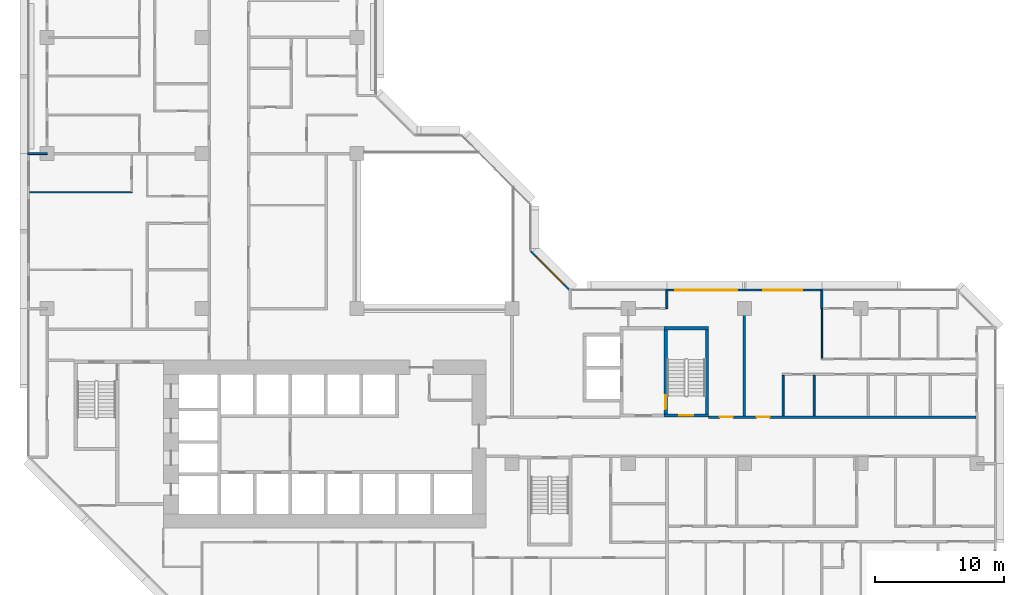
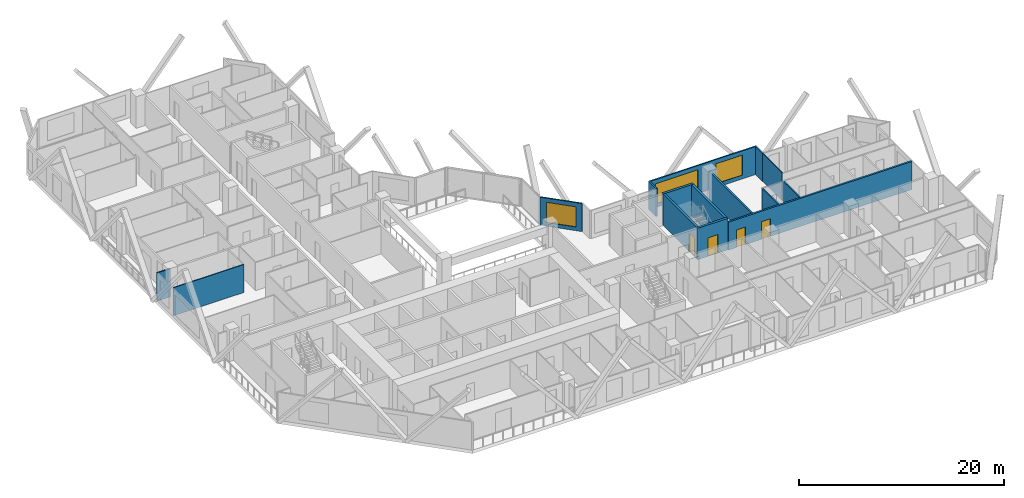
# One storey, part 8 of 16: 15 walls, 4 doors, 3 windows, 7 openings.
"""IFC4 building model written with IfcOpenShell, lengths in metres."""

from ifc_helpers import new_model, si_unit, direction, frame, frame_2d, origin, place, context, subcontext, project, spatial, rectangle, extrude, material, layer, layer_set, type_object, element, fill, save


model = new_model("IFC4")

# Units and contexts
model_context = context("Model", 3, precision=1e-05, world=origin(), true_north=direction((0.0, 1.0)))
body_context = subcontext(model_context, "Body", "Model", "MODEL_VIEW")
ifc_project = project(units=[si_unit("LENGTHUNIT", "METRE"), si_unit("AREAUNIT", "SQUARE_METRE"), si_unit("VOLUMEUNIT", "CUBIC_METRE"), si_unit("PLANEANGLEUNIT", "RADIAN"), si_unit("MASSUNIT", "GRAM", prefix="KILO")], contexts=[model_context])

# Site, building, storey
site_placement = place(None, origin())
site = spatial("IfcSite", under=ifc_project, at=site_placement, CompositionType="ELEMENT")
building_placement = place(site_placement, origin())
building = spatial("IfcBuilding", under=site, at=building_placement, Name="Chenar Terraces", CompositionType="ELEMENT")
storey_placement = place(building_placement, frame((0.0, 0.0, 71.39990234375)))
storey = spatial("IfcBuildingStorey", under=building, at=storey_placement, Name="L15", CompositionType="ELEMENT", Elevation=71.39990234375)

# Wall, opening, door
ifc_material_1 = material(Name="Concrete C70/85", Category="concrete")
ifc_layer_1 = layer(ifc_material_1, 0.25)
ifc_layer_set_1 = layer_set([ifc_layer_1], Name="Concrete C70/85")
wall_type_1 = type_object("IfcWallType", Name="Core wall 250 Concrete C70/85", PredefinedType="SHEAR", material=ifc_layer_set_1)
wall_1_placement = place(storey_placement, frame((47.77490234375, 15.72509765625, 0.0), z_axis=(0.0, 0.0, 1.0), x_axis=(1.0, 0.0, 0.0)))
wall_1 = element("IfcWall", 1, at=wall_1_placement, inside=storey, type_object=wall_type_1, Name="Core wall ST3_S L15", PredefinedType="SHEAR", context=body_context, shape_type="SweptSolid", body=[
    extrude(rectangle(XDim=3.4501953125, YDim=0.25, at=frame_2d((1.72509765625, 0.0))), origin(), (0.0, 0.0, 1.0), 3.75),
])
opening_1_placement = place(wall_1_placement, frame((1.175048828125, 0.0, 0.0)))
opening_1 = element("IfcOpeningElement", 2, at=opening_1_placement, cuts=wall_1, Name="Opening DL15-C8", PredefinedType="OPENING", context=body_context, shape_type="SweptSolid", body=[
    extrude(rectangle(XDim=1.10009765625, YDim=2.199951171875, at=frame_2d((0.550048828125, 1.10009765625))), frame((0.0, 0.135009765625, 0.0), z_axis=(0.0, -1.0, 0.0), x_axis=(1.0, 0.0, 0.0)), (0.0, 0.0, 1.0), 0.27001953125),
])
ifc_material_2 = material(Name="Steel-framed fire-resisting door leaf", Category="steel")
door_type_1 = type_object("IfcDoorType", Name="Stair fire door FD60 1100 x 2200", OperationType="SINGLE_SWING_LEFT", PredefinedType="DOOR", material=ifc_material_2)
door_1_placement = place(opening_1_placement, frame((1.10009765625, 0.0, 0.0), z_axis=(0.0, 0.0, 1.0), x_axis=(-1.0, 0.0, 0.0)))
door_1 = element("IfcDoor", 3, at=door_1_placement, inside=storey, type_object=door_type_1, Name="Stair door DL15-C8", OperationType="SINGLE_SWING_LEFT", OverallHeight=2.199951171875, OverallWidth=1.10009765625, PredefinedType="DOOR", context=body_context, shape_type="SweptSolid", body=[
    extrude(rectangle(XDim=1.10009765625, YDim=2.199951171875, at=frame_2d((0.550048828125, 1.10009765625))), frame((0.0, 0.02490234375, 0.0), z_axis=(0.0, -1.0, 0.0), x_axis=(1.0, 0.0, 0.0)), (0.0, 0.0, 1.0), 0.050048828125),
])
fill(opening_1, door_1)

# Wall
wall_2_placement = place(storey_placement, frame((47.77490234375, 22.47509765625, 0.0), z_axis=(0.0, 0.0, 1.0), x_axis=(1.0, 0.0, 0.0)))
element("IfcWall", 4, at=wall_2_placement, inside=storey, type_object=wall_type_1, Name="Core wall ST3_N L15", PredefinedType="SHEAR", context=body_context, shape_type="SweptSolid", body=[
    extrude(rectangle(XDim=3.4501953125, YDim=0.25, at=frame_2d((1.72509765625, 0.0))), origin(), (0.0, 0.0, 1.0), 3.75),
])

# Wall, opening, door
wall_3_placement = place(storey_placement, frame((47.89990234375, 15.85009765625, 0.0), z_axis=(0.0, 0.0, 1.0), x_axis=(0.0, 1.0, 0.0)))
wall_3 = element("IfcWall", 5, at=wall_3_placement, inside=storey, type_object=wall_type_1, Name="Core wall ST3_W L15", PredefinedType="SHEAR", context=body_context, shape_type="SweptSolid", body=[
    extrude(rectangle(XDim=6.5, YDim=0.25, at=frame_2d((3.25, 0.0))), origin(), (0.0, 0.0, 1.0), 3.75),
])
opening_2_placement = place(wall_3_placement, frame((0.35009765625, 0.0, 0.0)))
opening_2 = element("IfcOpeningElement", 6, at=opening_2_placement, cuts=wall_3, Name="Opening DL15-C11", PredefinedType="OPENING", context=body_context, shape_type="SweptSolid", body=[
    extrude(rectangle(XDim=1.10009765625, YDim=2.199951171875, at=frame_2d((0.550048828125, 1.10009765625))), frame((0.0, 0.135009765625, 0.0), z_axis=(0.0, -1.0, 0.0), x_axis=(1.0, 0.0, 0.0)), (0.0, 0.0, 1.0), 0.27001953125),
])
door_2_placement = place(opening_2_placement, frame((1.10009765625, 0.0, 0.0), z_axis=(0.0, 0.0, 1.0), x_axis=(-1.0, 0.0, 0.0)))
door_2 = element("IfcDoor", 7, at=door_2_placement, inside=storey, type_object=door_type_1, Name="Stair door DL15-C11", OperationType="SINGLE_SWING_RIGHT", OverallHeight=2.199951171875, OverallWidth=1.10009765625, PredefinedType="DOOR", context=body_context, shape_type="SweptSolid", body=[
    extrude(rectangle(XDim=1.10009765625, YDim=2.199951171875, at=frame_2d((0.550048828125, 1.10009765625))), frame((0.0, 0.02490234375, 0.0), z_axis=(0.0, -1.0, 0.0), x_axis=(1.0, 0.0, 0.0)), (0.0, 0.0, 1.0), 0.050048828125),
])
fill(opening_2, door_2)

# Wall
wall_4_placement = place(storey_placement, frame((51.10009765625, 15.85009765625, 0.0), z_axis=(0.0, 0.0, 1.0), x_axis=(0.0, 1.0, 0.0)))
element("IfcWall", 8, at=wall_4_placement, inside=storey, type_object=wall_type_1, Name="Core wall ST3_E L15", PredefinedType="SHEAR", context=body_context, shape_type="SweptSolid", body=[
    extrude(rectangle(XDim=6.5, YDim=0.25, at=frame_2d((3.25, 0.0))), origin(), (0.0, 0.0, 1.0), 3.75),
])

# Wall, openings, doors
ifc_material_3 = material(Name="Gypsum board on steel studs with fire boards", Category="steel")
ifc_layer_2 = layer(ifc_material_3, 0.199951171875)
ifc_layer_set_2 = layer_set([ifc_layer_2], Name="Gypsum board on steel studs with fire boards")
wall_type_2 = type_object("IfcWallType", Name="Corridor wall 200", PredefinedType="PARTITIONING", material=ifc_layer_set_2)
wall_5_placement = place(storey_placement, frame((51.22509765625, 15.60009765625, 0.0), z_axis=(0.0, 0.0, 1.0), x_axis=(1.0, 0.0, 0.0)))
wall_5 = element("IfcWall", 9, at=wall_5_placement, inside=storey, type_object=wall_type_2, Name="Partition L15-079", PredefinedType="PARTITIONING", context=body_context, shape_type="SweptSolid", body=[
    extrude(rectangle(XDim=20.700927734375, YDim=0.199951171875, at=frame_2d((10.3505859375, 0.0))), origin(), (0.0, 0.0, 1.0), 3.35009765625),
])
opening_3_placement = place(wall_5_placement, frame((3.72509765625, 0.0, 0.0)))
opening_3 = element("IfcOpeningElement", 10, at=opening_3_placement, cuts=wall_5, Name="Opening DL15-10", PredefinedType="OPENING", context=body_context, shape_type="SweptSolid", body=[
    extrude(rectangle(XDim=1.0, YDim=2.10009765625, at=frame_2d((0.5, 1.050048828125))), frame((0.0, 0.10986328125, 0.0), z_axis=(0.0, -1.0, 0.0), x_axis=(1.0, 0.0, 0.0)), (0.0, 0.0, 1.0), 0.219970703125),
])
opening_4_placement = place(wall_5_placement, frame((0.875, 0.0, 0.0)))
opening_4 = element("IfcOpeningElement", 11, at=opening_4_placement, cuts=wall_5, Name="Opening DL15-55", PredefinedType="OPENING", context=body_context, shape_type="SweptSolid", body=[
    extrude(rectangle(XDim=1.0, YDim=2.10009765625, at=frame_2d((0.5, 1.050048828125))), frame((0.0, 0.10986328125, 0.0), z_axis=(0.0, -1.0, 0.0), x_axis=(1.0, 0.0, 0.0)), (0.0, 0.0, 1.0), 0.219970703125),
])
ifc_material_4 = material(Name="Steel-framed fire-resisting door leaf", Category="steel")
door_type_2 = type_object("IfcDoorType", Name="Fire door FD30S 1000 x 2100", OperationType="SINGLE_SWING_LEFT", PredefinedType="DOOR", material=ifc_material_4)
door_3_placement = place(opening_3_placement, origin())
door_3 = element("IfcDoor", 12, at=door_3_placement, inside=storey, type_object=door_type_2, Name="Door DL15-10", OperationType="SINGLE_SWING_LEFT", OverallHeight=2.10009765625, OverallWidth=1.0, PredefinedType="DOOR", context=body_context, shape_type="SweptSolid", body=[
    extrude(rectangle(XDim=1.0, YDim=2.10009765625, at=frame_2d((0.5, 1.050048828125))), frame((0.0, 0.02490234375, 0.0), z_axis=(0.0, -1.0, 0.0), x_axis=(1.0, 0.0, 0.0)), (0.0, 0.0, 1.0), 0.050048828125),
])
fill(opening_3, door_3)
door_4_placement = place(opening_4_placement, origin())
door_4 = element("IfcDoor", 13, at=door_4_placement, inside=storey, type_object=door_type_2, Name="Door DL15-55", OperationType="SINGLE_SWING_RIGHT", OverallHeight=2.10009765625, OverallWidth=1.0, PredefinedType="DOOR", context=body_context, shape_type="SweptSolid", body=[
    extrude(rectangle(XDim=1.0, YDim=2.10009765625, at=frame_2d((0.5, 1.050048828125))), frame((0.0, 0.02490234375, 0.0), z_axis=(0.0, -1.0, 0.0), x_axis=(1.0, 0.0, 0.0)), (0.0, 0.0, 1.0), 0.050048828125),
])
fill(opening_4, door_4)

# Wall, openings, windows
ifc_material_5 = material(Name="Aluminium framed glazing", Category="aluminium")
ifc_layer_3 = layer(ifc_material_5, 0.14990234375)
ifc_layer_set_3 = layer_set([ifc_layer_3], Name="Aluminium framed glazing")
wall_type_3 = type_object("IfcWallType", Name="Glazed flush facade wall 150", PredefinedType="SOLIDWALL", material=ifc_layer_set_3)
wall_6_placement = place(storey_placement, frame((59.925048828125, 25.425048828125, 0.0), z_axis=(0.0, 0.0, 1.0), x_axis=(-1.0, 0.0, 0.0)))
wall_6 = element("IfcWall", 14, at=wall_6_placement, inside=storey, type_object=wall_type_3, Name="Glazed flush facade wall", PredefinedType="SOLIDWALL", context=body_context, shape_type="SweptSolid", body=[
    extrude(rectangle(XDim=11.85009765625, YDim=0.14990234375, at=frame_2d((5.925048828125, 0.0))), origin(), (0.0, 0.0, 1.0), 3.35009765625),
])
opening_5_placement = place(wall_6_placement, frame((1.46240234375, 0.0, 0.449951171875)))
opening_5 = element("IfcOpeningElement", 15, at=opening_5_placement, cuts=wall_6, Name="Opening W300x240", PredefinedType="OPENING", context=body_context, shape_type="SweptSolid", body=[
    extrude(rectangle(XDim=3.0, YDim=2.39990234375, at=frame_2d((1.5, 1.199951171875))), frame((0.0, 0.0849609375, 0.0), z_axis=(0.0, -1.0, 0.0), x_axis=(1.0, 0.0, 0.0)), (0.0, 0.0, 1.0), 0.169921875),
])
opening_6_placement = place(wall_6_placement, frame((6.487548828125, 0.0, 0.449951171875)))
opening_6 = element("IfcOpeningElement", 16, at=opening_6_placement, cuts=wall_6, Name="Opening W480x240", PredefinedType="OPENING", context=body_context, shape_type="SweptSolid", body=[
    extrude(rectangle(XDim=4.800048828125, YDim=2.39990234375, at=frame_2d((2.39990234375, 1.199951171875))), frame((0.0, 0.0849609375, 0.0), z_axis=(0.0, -1.0, 0.0), x_axis=(1.0, 0.0, 0.0)), (0.0, 0.0, 1.0), 0.169921875),
])
ifc_material_6 = material(Name="Low emissivity double glazing, aluminium frame", Category="aluminium")
window_type_1 = type_object("IfcWindowType", Name="Fixed light 3000 x 2400", PartitioningType="SINGLE_PANEL", PredefinedType="WINDOW", material=ifc_material_6)
window_1_placement = place(opening_5_placement, origin())
window_1 = element("IfcWindow", 17, at=window_1_placement, inside=storey, type_object=window_type_1, Name="Window", OverallHeight=2.39990234375, OverallWidth=3.0, PartitioningType="SINGLE_PANEL", PredefinedType="WINDOW", context=body_context, shape_type="SweptSolid", body=[
    extrude(rectangle(XDim=3.0, YDim=2.39990234375, at=frame_2d((1.5, 1.199951171875))), frame((0.0, 0.030029296875, 0.0), z_axis=(0.0, -1.0, 0.0), x_axis=(1.0, 0.0, 0.0)), (0.0, 0.0, 1.0), 0.06005859375),
])
fill(opening_5, window_1)
ifc_material_7 = material(Name="Low emissivity double glazing, aluminium frame", Category="aluminium")
window_type_2 = type_object("IfcWindowType", Name="Fixed light 4800 x 2400", PartitioningType="SINGLE_PANEL", PredefinedType="WINDOW", material=ifc_material_7)
window_2_placement = place(opening_6_placement, origin())
window_2 = element("IfcWindow", 18, at=window_2_placement, inside=storey, type_object=window_type_2, Name="Window", OverallHeight=2.39990234375, OverallWidth=4.800048828125, PartitioningType="SINGLE_PANEL", PredefinedType="WINDOW", context=body_context, shape_type="SweptSolid", body=[
    extrude(rectangle(XDim=4.800048828125, YDim=2.39990234375, at=frame_2d((2.39990234375, 1.199951171875))), frame((0.0, 0.030029296875, 0.0), z_axis=(0.0, -1.0, 0.0), x_axis=(1.0, 0.0, 0.0)), (0.0, 0.0, 1.0), 0.06005859375),
])
fill(opening_6, window_2)

# Walls
ifc_material_8 = material(Name="Gypsum board on steel studs", Category="steel")
ifc_layer_4 = layer(ifc_material_8, 0.10009765625)
ifc_layer_set_4 = layer_set([ifc_layer_4], Name="Gypsum board on steel studs")
wall_type_4 = type_object("IfcWallType", Name="Gypsum partition 100", PredefinedType="PARTITIONING", material=ifc_layer_set_4)
wall_7_placement = place(storey_placement, frame((-1.35009765625, 33.0, 0.0), z_axis=(0.0, 0.0, 1.0), x_axis=(1.0, 0.0, 0.0)))
element("IfcWall", 19, at=wall_7_placement, inside=storey, type_object=wall_type_4, Name="Partition L15-004", PredefinedType="PARTITIONING", context=body_context, shape_type="SweptSolid", body=[
    extrude(rectangle(XDim=7.9501953125, YDim=0.10009765625, at=frame_2d((3.97509765625, 0.0))), origin(), (0.0, 0.0, 1.0), 3.35009765625),
])
wall_8_placement = place(storey_placement, frame((60.0, 20.14990234375, 0.0), z_axis=(0.0, 0.0, 1.0), x_axis=(0.0, 1.0, 0.0)))
element("IfcWall", 20, at=wall_8_placement, inside=storey, type_object=wall_type_4, Name="Partition L15-090", PredefinedType="PARTITIONING", context=body_context, shape_type="SweptSolid", body=[
    extrude(rectangle(XDim=3.85009765625, YDim=0.10009765625, at=frame_2d((1.925048828125, 0.0))), origin(), (0.0, 0.0, 1.0), 3.35009765625),
])
ifc_material_9 = material(Name="Terracotta cladding on insulated backing", Category="masonry")
ifc_layer_5 = layer(ifc_material_9, 0.14990234375)
ifc_layer_set_5 = layer_set([ifc_layer_5], Name="Terracotta cladding on insulated backing")
wall_type_5 = type_object("IfcWallType", Name="Loggia return wall 150", PredefinedType="SOLIDWALL", material=ifc_layer_set_5)
for number, where, z_axis, x_axis, name in (
    (21, (60.0, 25.5, 0.0), (0.0, 0.0, 1.0), (0.0, -1.0, 0.0), "Loggia return wall"),
    (22, (48.0, 25.5, 0.0), (0.0, 0.0, 1.0), (0.0, -1.0, 0.0), "Loggia return wall"),
    (23, (-1.5, 36.0, 0.0), (0.0, 0.0, 1.0), (1.0, 0.0, 0.0), "Loggia return wall"),
):
    element("IfcWall", number, at=place(storey_placement, frame(where, z_axis=z_axis, x_axis=x_axis)), inside=storey, type_object=wall_type_5, Name=name, PredefinedType="SOLIDWALL", context=body_context, shape_type="SweptSolid", body=[
        extrude(rectangle(XDim=1.5, YDim=0.14990234375, at=frame_2d((0.75, 0.0))), origin(), (0.0, 0.0, 1.0), 3.35009765625),
    ])

# Wall, opening, window
ifc_material_10 = material(Name="Terracotta cladding on insulated backing", Category="masonry")
ifc_layer_6 = layer(ifc_material_10, 0.14990234375)
ifc_layer_set_6 = layer_set([ifc_layer_6], Name="Terracotta cladding on insulated backing")
wall_type_6 = type_object("IfcWallType", Name="Terracotta rainscreen wall 150", PredefinedType="SOLIDWALL", material=ifc_layer_set_6)
wall_9_placement = place(storey_placement, frame((40.447021484375, 25.447021484375, 0.0), z_axis=(0.0, 0.0, 1.0), x_axis=(-0.707106781187, 0.707106781187, 0.0)))
wall_9 = element("IfcWall", 24, at=wall_9_placement, inside=storey, type_object=wall_type_6, Name="Terracotta rainscreen wall", PredefinedType="SOLIDWALL", context=body_context, shape_type="SweptSolid", body=[
    extrude(rectangle(XDim=4.24267578125, YDim=0.14990234375, at=frame_2d((2.121337890625, 0.0))), origin(), (0.0, 0.0, 1.0), 3.35009765625),
])
opening_7_placement = place(wall_9_placement, frame((0.621337890625, 0.0, 0.449951171875)))
opening_7 = element("IfcOpeningElement", 25, at=opening_7_placement, cuts=wall_9, Name="Opening W300x240", PredefinedType="OPENING", context=body_context, shape_type="SweptSolid", body=[
    extrude(rectangle(XDim=3.0, YDim=2.39990234375, at=frame_2d((1.5, 1.199951171875))), frame((0.0, 0.0849609375, 0.0), z_axis=(0.0, -1.0, 0.0), x_axis=(1.0, 0.0, 0.0)), (0.0, 0.0, 1.0), 0.169921875),
])
window_3_placement = place(opening_7_placement, origin())
window_3 = element("IfcWindow", 26, at=window_3_placement, inside=storey, type_object=window_type_1, Name="Window", OverallHeight=2.39990234375, OverallWidth=3.0, PartitioningType="SINGLE_PANEL", PredefinedType="WINDOW", context=body_context, shape_type="SweptSolid", body=[
    extrude(rectangle(XDim=3.0, YDim=2.39990234375, at=frame_2d((1.5, 1.199951171875))), frame((0.0, 0.030029296875, 0.0), z_axis=(0.0, -1.0, 0.0), x_axis=(1.0, 0.0, 0.0)), (0.0, 0.0, 1.0), 0.06005859375),
])
fill(opening_7, window_3)

# Walls
ifc_material_11 = material(Name="Twin gypsum board on steel studs with mineral wool", Category="steel")
ifc_layer_7 = layer(ifc_material_11, 0.199951171875)
ifc_layer_set_7 = layer_set([ifc_layer_7], Name="Twin gypsum board on steel studs with mineral wool")
wall_type_7 = type_object("IfcWallType", Name="Unit demising wall 200", PredefinedType="PARTITIONING", material=ifc_layer_set_7)
wall_10_placement = place(storey_placement, frame((54.0, 15.699951171875, 0.0), z_axis=(0.0, 0.0, 1.0), x_axis=(0.0, 1.0, 0.0)))
element("IfcWall", 27, at=wall_10_placement, inside=storey, type_object=wall_type_7, Name="Partition L15-082", PredefinedType="PARTITIONING", context=body_context, shape_type="SweptSolid", body=[
    extrude(rectangle(XDim=8.300048828125, YDim=0.199951171875, at=frame_2d((4.14990234375, 0.0))), origin(), (0.0, 0.0, 1.0), 3.35009765625),
])
ifc_material_12 = material(Name="Moisture-resistant gypsum board on steel studs", Category="steel")
ifc_layer_8 = layer(ifc_material_12, 0.14990234375)
ifc_layer_set_8 = layer_set([ifc_layer_8], Name="Moisture-resistant gypsum board on steel studs")
wall_type_8 = type_object("IfcWallType", Name="Wet-room partition 150", PredefinedType="PARTITIONING", material=ifc_layer_set_8)
for number, where, z_axis, x_axis, name in (
    (28, (57.0, 15.699951171875, 0.0), (0.0, 0.0, 1.0), (0.0, 1.0, 0.0), "Partition L15-085"),
    (29, (59.39990234375, 15.699951171875, 0.0), (0.0, 0.0, 1.0), (0.0, 1.0, 0.0), "Partition L15-087"),
):
    element("IfcWall", number, at=place(storey_placement, frame(where, z_axis=z_axis, x_axis=x_axis)), inside=storey, type_object=wall_type_8, Name=name, PredefinedType="PARTITIONING", context=body_context, shape_type="SweptSolid", body=[
        extrude(rectangle(XDim=3.125, YDim=0.14990234375, at=frame_2d((1.5625, 0.0))), origin(), (0.0, 0.0, 1.0), 3.35009765625),
    ])

save(model, "model.ifc")
